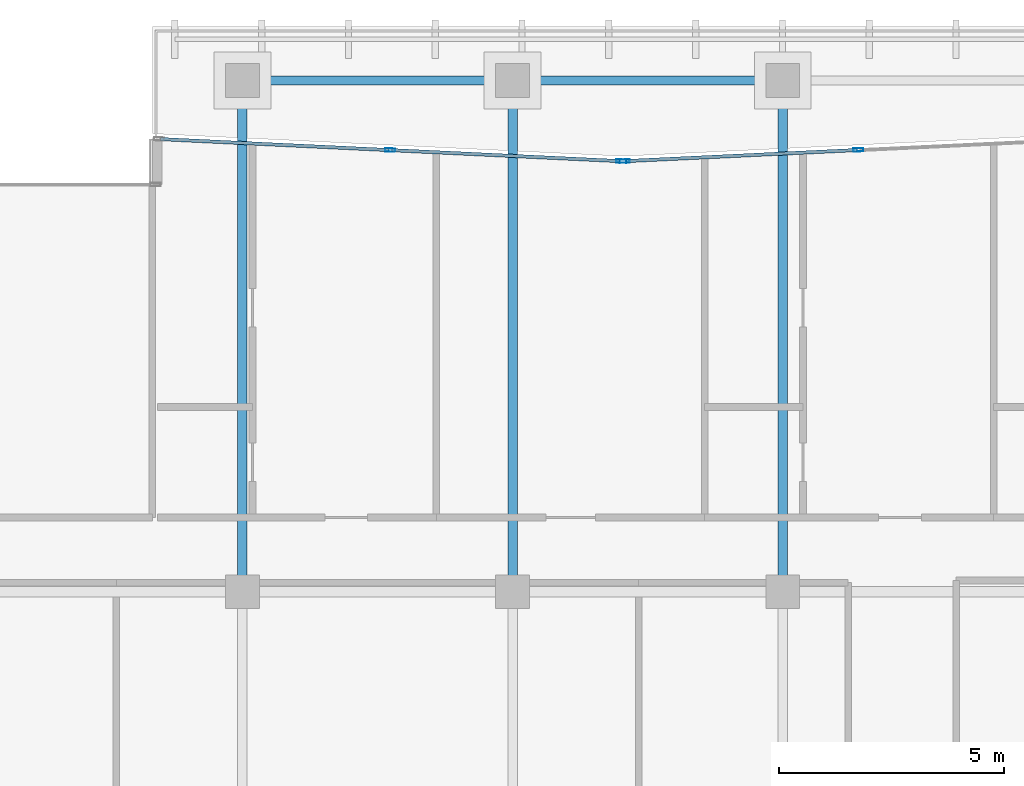
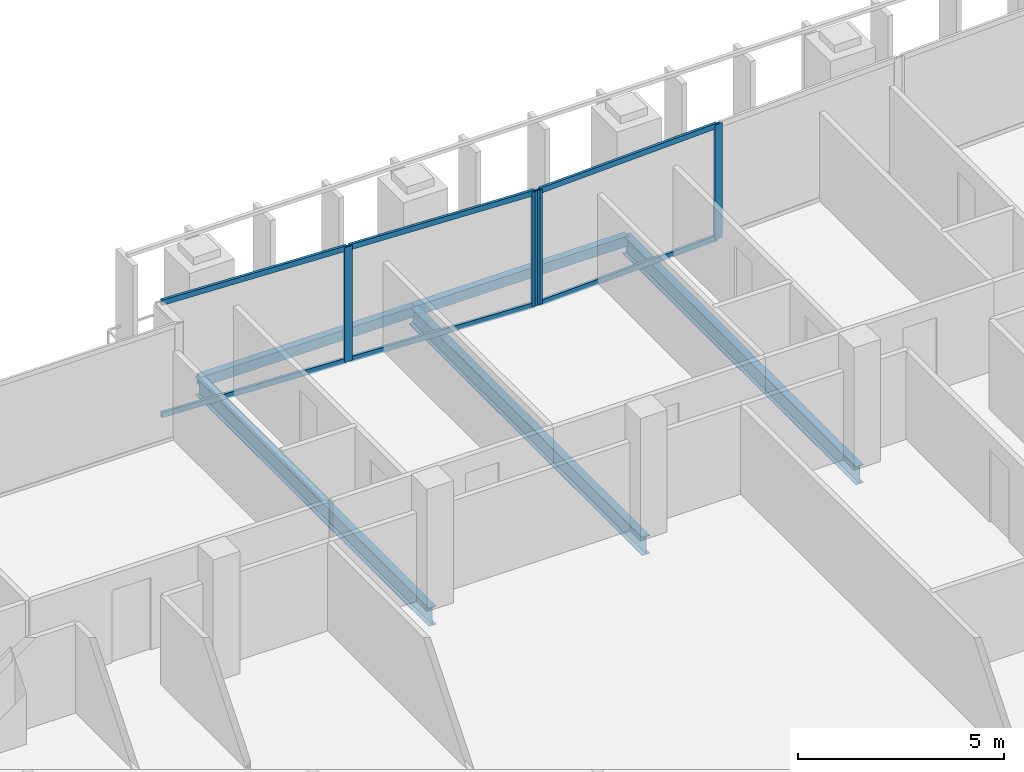
# One storey, part 13 of 31: 10 members, 5 beams, 2 elements without a shape of their own.
"""IFC4 building model written with IfcOpenShell, lengths in metres."""

from ifc_helpers import new_model, si_unit, direction, frame, origin, origin_2d, place, context, subcontext, project, spatial, hollow_rectangle, i_section, extrude, material, layer, layer_set, material_profile, profile_set, type_object, element, aggregate, save


model = new_model("IFC4")

# Units and contexts
model_context = context("Model", 3, precision=1e-05, world=origin(), true_north=direction((0.0, 1.0)))
body_context = subcontext(model_context, "Body", "Model", "MODEL_VIEW")
ifc_project = project(units=[si_unit("LENGTHUNIT", "METRE"), si_unit("AREAUNIT", "SQUARE_METRE"), si_unit("VOLUMEUNIT", "CUBIC_METRE"), si_unit("PLANEANGLEUNIT", "RADIAN"), si_unit("MASSUNIT", "GRAM", prefix="KILO")], contexts=[model_context])

# Site, building, storey
site_placement = place(None, origin())
site = spatial("IfcSite", under=ifc_project, at=site_placement, CompositionType="ELEMENT")
building_placement = place(site_placement, origin())
building = spatial("IfcBuilding", under=site, at=building_placement, Name="Tanjung Sevakor Pilgrim Tower", CompositionType="ELEMENT")
storey_placement = place(building_placement, frame((0.0, 0.0, 208.22998046875)))
storey = spatial("IfcBuildingStorey", under=building, at=storey_placement, Name="L58", CompositionType="ELEMENT", Elevation=208.22998046875)

# Beams
ifc_material_1 = material(Name="Steel S355J2", Category="steel")
ifc_material_profile_1 = material_profile(ifc_material_1, i_section(OverallWidth=0.2119140625, OverallDepth=0.54443359375, WebThickness=0.0126953125, FlangeThickness=0.021240234375, FilletRadius=0.0126953125, at=origin_2d()))
ifc_profile_set_1 = profile_set([ifc_material_profile_1], Name="Steel S355J2")
beam_type_1 = type_object("IfcBeamType", Name="BM-B-G5-UB_533x210x122", PredefinedType="BEAM", material=ifc_profile_set_1)
for number, where, z_axis, x_axis, name in (
    (1, (54.0, 42.60009765625, -0.4921875), (0.0, 1.0, 0.0), (-1.0, 0.0, 0.0), "L58 MAIN Girder 011"),
    (2, (60.0, 42.60009765625, -0.4921875), (0.0, 1.0, 0.0), (-1.0, 0.0, 0.0), "L58 MAIN Girder 014"),
    (3, (66.0, 42.60009765625, -0.4921875), (0.0, 1.0, 0.0), (-1.0, 0.0, 0.0), "L58 MAIN Girder 017"),
):
    element("IfcBeam", number, at=place(storey_placement, frame(where, z_axis=z_axis, x_axis=x_axis)), inside=storey, type_object=beam_type_1, Name=name, PredefinedType="BEAM", context=body_context, shape_type="SweptSolid", body=[
        extrude(i_section(OverallWidth=0.2119140625, OverallDepth=0.54443359375, WebThickness=0.0126953125, FlangeThickness=0.021240234375, FilletRadius=0.0126953125, at=origin_2d()), origin(), (0.0, 0.0, 1.0), 11.349853515625),
    ])
ifc_material_2 = material(Name="Steel S355J2", Category="steel")
ifc_material_profile_2 = material_profile(ifc_material_2, hollow_rectangle(XDim=0.199951171875, YDim=0.300048828125, WallThickness=0.012451171875, at=origin_2d()))
ifc_profile_set_2 = profile_set([ifc_material_profile_2], Name="Steel S355J2")
beam_type_2 = type_object("IfcBeamType", Name="BM-B-SP3-RHS_300x200x12.5", PredefinedType="SPANDREL", material=ifc_profile_set_2)
for number, where, z_axis, x_axis, name in (
    (4, (54.0, 53.949951171875, -0.369873046875), (1.0, 0.0, 0.0), (0.0, 1.0, 0.0), "L58 Spandrel MAIN N-06"),
    (5, (60.0, 53.949951171875, -0.369873046875), (1.0, 0.0, 0.0), (0.0, 1.0, 0.0), "L58 Spandrel MAIN N-08"),
):
    element("IfcBeam", number, at=place(storey_placement, frame(where, z_axis=z_axis, x_axis=x_axis)), inside=storey, type_object=beam_type_2, Name=name, PredefinedType="SPANDREL", context=body_context, shape_type="SweptSolid", body=[
        extrude(hollow_rectangle(XDim=0.199951171875, YDim=0.300048828125, WallThickness=0.012451171875, at=origin_2d()), origin(), (0.0, 0.0, 1.0), 6.0),
    ])

# Curtain wall, members
ifc_material_3 = material(Name="Aluminium 6063-T6 and Low-E Glass", Category="aluminium")
ifc_layer = layer(ifc_material_3, 0.199951171875)
ifc_layer_set = layer_set([ifc_layer], Name="CW-SYS-PRAY")
curtain_wall_type = type_object("IfcCurtainWallType", Name="CW-SYS-PRAY", PredefinedType="NOTDEFINED", material=ifc_layer_set)
curtain_wall_1_placement = place(storey_placement, origin())
curtain_wall_1 = element("IfcCurtainWall", 6, at=curtain_wall_1_placement, inside=storey, type_object=curtain_wall_type, Name="L58 Curtain Wall CW-PRY-L58-22", PredefinedType="NOTDEFINED")
ifc_material_4 = material(Name="Aluminium 6063-T6", Category="aluminium")
ifc_material_profile_3 = material_profile(ifc_material_4, hollow_rectangle(XDim=0.074951171875, YDim=0.219970703125, WallThickness=0.0048828125, at=origin_2d()))
ifc_profile_set_3 = profile_set([ifc_material_profile_3], Name="Aluminium 6063-T6")
member_type_1 = type_object("IfcMemberType", Name="TYPE-CWM-2", PredefinedType="MULLION", material=ifc_profile_set_3)
member_1_placement = place(storey_placement, frame((67.677734375, 52.409912109375, 0.0), z_axis=(0.0, 0.0, 1.0), x_axis=(0.047787107337, -0.998857543583, 0.0)))
member_1 = element("IfcMember", 7, at=member_1_placement, type_object=member_type_1, Name="CW-PRY mullion 2", PredefinedType="MULLION", context=body_context, shape_type="SweptSolid", body=[
    extrude(hollow_rectangle(XDim=0.074951171875, YDim=0.219970703125, WallThickness=0.0048828125, at=origin_2d()), origin(), (0.0, 0.0, 1.0), 3.409912109375),
])
member_2_placement = place(storey_placement, frame((62.487548828125, 52.16162109375, 0.0), z_axis=(0.0, 0.0, 1.0), x_axis=(0.047787107337, -0.998857543583, 0.0)))
member_2 = element("IfcMember", 8, at=member_2_placement, type_object=member_type_1, Name="CW-PRY mullion 3", PredefinedType="MULLION", context=body_context, shape_type="SweptSolid", body=[
    extrude(hollow_rectangle(XDim=0.074951171875, YDim=0.219970703125, WallThickness=0.0048828125, at=origin_2d()), origin(), (0.0, 0.0, 1.0), 3.409912109375),
])

curtain_wall_2_placement = place(storey_placement, origin())
curtain_wall_2 = element("IfcCurtainWall", 9, at=curtain_wall_2_placement, inside=storey, type_object=curtain_wall_type, Name="L58 Curtain Wall CW-PRY-L58-23", PredefinedType="NOTDEFINED")
member_3_placement = place(storey_placement, frame((62.41259765625, 52.16162109375, 0.0), z_axis=(0.0, 0.0, 1.0), x_axis=(-0.047788664414, -0.998857469088, 0.0)))
member_3 = element("IfcMember", 10, at=member_3_placement, type_object=member_type_1, Name="CW-PRY mullion 1", PredefinedType="MULLION", context=body_context, shape_type="SweptSolid", body=[
    extrude(hollow_rectangle(XDim=0.074951171875, YDim=0.219970703125, WallThickness=0.0048828125, at=origin_2d()), origin(), (0.0, 0.0, 1.0), 3.409912109375),
])
member_4_placement = place(storey_placement, frame((57.280029296875, 52.4072265625, 0.0), z_axis=(0.0, 0.0, 1.0), x_axis=(-0.047788664414, -0.998857469088, 0.0)))
member_4 = element("IfcMember", 11, at=member_4_placement, type_object=member_type_1, Name="CW-PRY mullion 2", PredefinedType="MULLION", context=body_context, shape_type="SweptSolid", body=[
    extrude(hollow_rectangle(XDim=0.074951171875, YDim=0.219970703125, WallThickness=0.0048828125, at=origin_2d()), origin(), (0.0, 0.0, 1.0), 3.409912109375),
])

# Member
ifc_material_5 = material(Name="Aluminium 6063-T6", Category="aluminium")
ifc_material_profile_4 = material_profile(ifc_material_5, hollow_rectangle(XDim=0.074951171875, YDim=0.159912109375, WallThickness=0.00439453125, at=origin_2d()))
ifc_profile_set_4 = profile_set([ifc_material_profile_4], Name="Aluminium 6063-T6")
member_type_2 = type_object("IfcMemberType", Name="TYPE-CWT-2", PredefinedType="USERDEFINED", material=ifc_profile_set_4)
member_5_placement = place(storey_placement, frame((67.64013671875, 52.408203125, 0.03759765625), z_axis=(-0.998858409618, -0.047769001835, 0.0), x_axis=(0.047769001835, -0.998858409618, 0.0)))
member_5 = element("IfcMember", 12, at=member_5_placement, type_object=member_type_2, Name="CW-PRY transom 2.1", ObjectType="TRANSOM", PredefinedType="USERDEFINED", context=body_context, shape_type="SweptSolid", body=[
    extrude(hollow_rectangle(XDim=0.074951171875, YDim=0.159912109375, WallThickness=0.00439453125, at=origin_2d()), origin(), (0.0, 0.0, 1.0), 5.12109375),
])

member_6_placement = place(storey_placement, frame((67.64013671875, 52.408203125, 3.37255859375), z_axis=(-0.998858409618, -0.047769001835, 0.0), x_axis=(0.047769001835, -0.998858409618, 0.0)))
member_6 = element("IfcMember", 13, at=member_6_placement, type_object=member_type_2, Name="CW-PRY transom 2.2", ObjectType="TRANSOM", PredefinedType="USERDEFINED", context=body_context, shape_type="SweptSolid", body=[
    extrude(hollow_rectangle(XDim=0.074951171875, YDim=0.159912109375, WallThickness=0.00439453125, at=origin_2d()), origin(), (0.0, 0.0, 1.0), 5.12109375),
])

aggregate(curtain_wall_1, [member_1, member_2, member_5, member_6])

member_7_placement = place(storey_placement, frame((62.375, 52.16357421875, 0.03759765625), z_axis=(-0.998857750692, 0.047782778091, 0.0), x_axis=(-0.047782778091, -0.998857750692, 0.0)))
member_7 = element("IfcMember", 14, at=member_7_placement, type_object=member_type_2, Name="CW-PRY transom 1.1", ObjectType="TRANSOM", PredefinedType="USERDEFINED", context=body_context, shape_type="SweptSolid", body=[
    extrude(hollow_rectangle(XDim=0.074951171875, YDim=0.159912109375, WallThickness=0.00439453125, at=origin_2d()), origin(), (0.0, 0.0, 1.0), 5.0634765625),
])

member_8_placement = place(storey_placement, frame((62.375, 52.16357421875, 3.37255859375), z_axis=(-0.998857750692, 0.047782778091, 0.0), x_axis=(-0.047782778091, -0.998857750692, 0.0)))
member_8 = element("IfcMember", 15, at=member_8_placement, type_object=member_type_2, Name="CW-PRY transom 1.2", ObjectType="TRANSOM", PredefinedType="USERDEFINED", context=body_context, shape_type="SweptSolid", body=[
    extrude(hollow_rectangle(XDim=0.074951171875, YDim=0.159912109375, WallThickness=0.00439453125, at=origin_2d()), origin(), (0.0, 0.0, 1.0), 5.0634765625),
])

member_9_placement = place(storey_placement, frame((57.242431640625, 52.408935546875, 0.03759765625), z_axis=(-0.998855448241, 0.047830884565, 0.0), x_axis=(-0.047830884565, -0.998855448241, 0.0)))
member_9 = element("IfcMember", 16, at=member_9_placement, type_object=member_type_2, Name="CW-PRY transom 2.1", ObjectType="TRANSOM", PredefinedType="USERDEFINED", context=body_context, shape_type="SweptSolid", body=[
    extrude(hollow_rectangle(XDim=0.074951171875, YDim=0.159912109375, WallThickness=0.00439453125, at=origin_2d()), origin(), (0.0, 0.0, 1.0), 5.0634765625),
])

member_10_placement = place(storey_placement, frame((57.242431640625, 52.408935546875, 3.37255859375), z_axis=(-0.998855448241, 0.047830884565, 0.0), x_axis=(-0.047830884565, -0.998855448241, 0.0)))
member_10 = element("IfcMember", 17, at=member_10_placement, type_object=member_type_2, Name="CW-PRY transom 2.2", ObjectType="TRANSOM", PredefinedType="USERDEFINED", context=body_context, shape_type="SweptSolid", body=[
    extrude(hollow_rectangle(XDim=0.074951171875, YDim=0.159912109375, WallThickness=0.00439453125, at=origin_2d()), origin(), (0.0, 0.0, 1.0), 5.0634765625),
])

aggregate(curtain_wall_2, [member_3, member_4, member_7, member_8, member_9, member_10])

save(model, "model.ifc")
